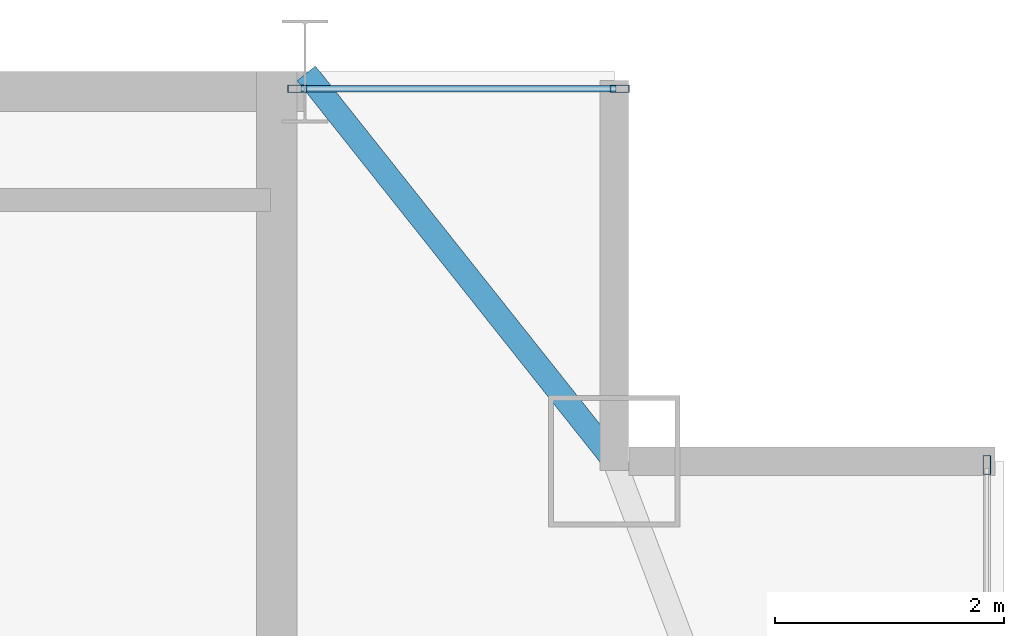
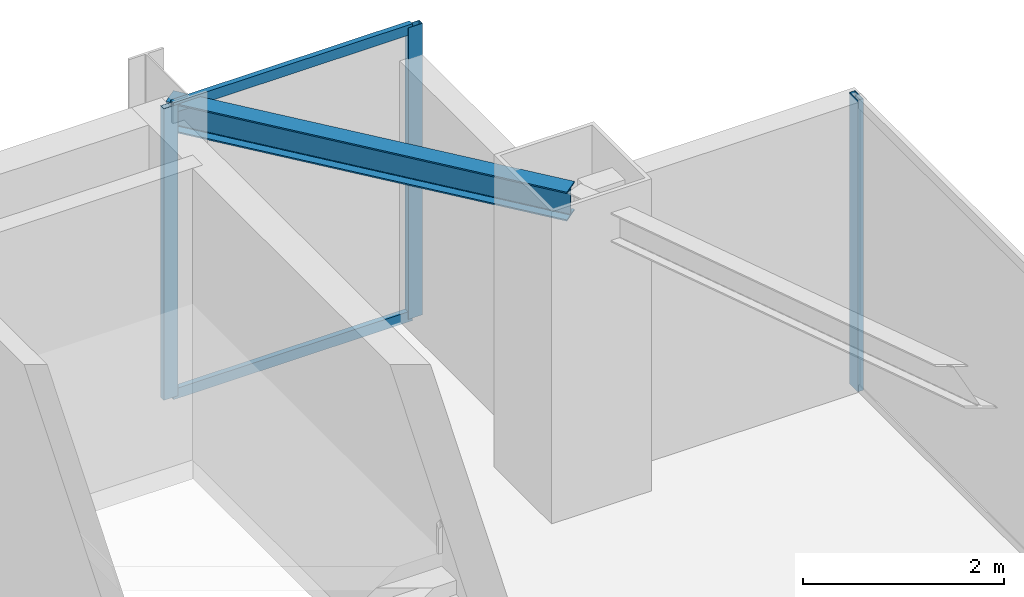
# One storey, part 22 of 30: 5 members, 1 beam, 2 elements without a shape of their own.
"""IFC4 building model written with IfcOpenShell, lengths in metres."""

import ifcopenshell
import ifcopenshell.guid

model = None  # the IFC model being written
_history = None  # IfcOwnerHistory: only IFC2X3 demands one
_inside = {}  # id of a spatial element -> (the spatial element, [elements in it])
_under = {}  # id of a project, library or spatial element -> (it, [spatial elements below it])
_declared = {}  # id of a project -> (the project, [libraries it declares])
_typed = {}  # id of a type object -> (the type object, [elements of that type])
_made_of = {}  # id of a material, layer set ... -> (it, [elements and type objects made of it])


def new_model(schema):
    """Start an empty IFC model of exactly this schema.

    Asked for "IFC4X3", IfcOpenShell would pick the latest addendum, in which some entities
    have other attributes; the version numbers below select the first issue.
    IFC2X3 requires an IfcOwnerHistory on every rooted entity: one is made here for all.
    """
    global model, _history
    if schema == "IFC4X3":
        model = ifcopenshell.file(schema_version=(4, 3, 0, 0))
    else:
        model = ifcopenshell.file(schema=schema)
    _inside.clear()
    _under.clear()
    _declared.clear()
    _typed.clear()
    _made_of.clear()
    _history = None
    if model.schema == "IFC2X3":
        org = make("IfcOrganization", Name="unknown")
        user = make(
            "IfcPersonAndOrganization",
            ThePerson=make("IfcPerson", FamilyName="unknown"),
            TheOrganization=org,
        )
        app = make(
            "IfcApplication",
            ApplicationDeveloper=org,
            Version="unknown",
            ApplicationFullName="unknown",
            ApplicationIdentifier="unknown",
        )
        _history = make(
            "IfcOwnerHistory",
            OwningUser=user,
            OwningApplication=app,
            ChangeAction="ADDED",
            CreationDate=0,
        )
    return model


def make(cls, **values):
    """One entity of the class cls with the attributes given. An attribute that is None is left unset."""
    return model.create_entity(
        cls, **{name: value for name, value in values.items() if value is not None}
    )


def rooted(cls, **values):
    """An entity with a GlobalId (a new one), such as an element, a storey or a relation."""
    return make(cls, GlobalId=ifcopenshell.guid.new(), OwnerHistory=_history, **values)


def si_unit(unit_type, name, prefix=None):
    """IfcSIUnit, for example si_unit("LENGTHUNIT", "METRE", prefix="MILLI")."""
    return make("IfcSIUnit", UnitType=unit_type, Prefix=prefix, Name=name)


def assignment(units):
    """IfcUnitAssignment: the units of a project."""
    return None if units is None else make("IfcUnitAssignment", Units=units)


def point(xyz):
    """IfcCartesianPoint."""
    return None if xyz is None else make("IfcCartesianPoint", Coordinates=xyz)


def direction(xyz):
    """IfcDirection."""
    return None if xyz is None else make("IfcDirection", DirectionRatios=xyz)


def frame(location, z_axis=None, x_axis=None):
    """IfcAxis2Placement3D, a coordinate frame: its origin and axes. An axis left out is left unset."""
    return make(
        "IfcAxis2Placement3D",
        Location=point(location),
        Axis=direction(z_axis),
        RefDirection=direction(x_axis),
    )


def frame_2d(location, x_axis=None):
    """IfcAxis2Placement2D, a coordinate frame in the plane: its origin and x axis."""
    return make(
        "IfcAxis2Placement2D", Location=point(location), RefDirection=direction(x_axis)
    )


def origin():
    """The frame at (0, 0, 0) with its axes left unset."""
    return frame((0.0, 0.0, 0.0))


def origin_2d():
    """The frame at (0, 0) in the plane with its x axis left unset."""
    return frame_2d((0.0, 0.0))


def place(relative_to, where):
    """IfcLocalPlacement: puts the frame where relative to a parent placement (None: the world)."""
    return make(
        "IfcLocalPlacement", PlacementRelTo=relative_to, RelativePlacement=where
    )


def context(
    kind, dimensions, precision=None, world=None, true_north=None, identifier=None
):
    """IfcGeometricRepresentationContext, for example the 3D "Model" context."""
    return make(
        "IfcGeometricRepresentationContext",
        ContextIdentifier=identifier,
        ContextType=kind,
        CoordinateSpaceDimension=dimensions,
        Precision=precision,
        WorldCoordinateSystem=world,
        TrueNorth=true_north,
    )


def subcontext(parent, identifier, kind, view, scale=None):
    """IfcGeometricRepresentationSubContext, for example "Body" below "Model"."""
    return make(
        "IfcGeometricRepresentationSubContext",
        ContextIdentifier=identifier,
        ContextType=kind,
        ParentContext=parent,
        TargetScale=scale,
        TargetView=view,
    )


def project(units=None, contexts=None):
    """IfcProject with its units and contexts."""
    return rooted(
        "IfcProject",
        Name="project",
        RepresentationContexts=contexts,
        UnitsInContext=assignment(units),
    )


def spatial(cls, under=None, at=None, **own):
    """A site, building, storey or space (cls), placed at a placement, below another one or the project."""
    s = rooted(cls, ObjectPlacement=at, **own)
    if under is not None:
        _under.setdefault(under.id(), (under, []))[1].append(s)
    return s


def profile(cls, at=None, kind="AREA", **sizes):
    """A parametric profile (cls). Its sizes go by their IFC names, for example OverallWidth=200.0."""
    return make(cls, ProfileType=kind, Position=at, **sizes)


def hollow_rectangle(**sizes):
    """IfcRectangleHollowProfileDef."""
    return profile("IfcRectangleHollowProfileDef", **sizes)


def i_section(**sizes):
    """IfcIShapeProfileDef."""
    return profile("IfcIShapeProfileDef", **sizes)


def extrude(swept, where, along, depth):
    """IfcExtrudedAreaSolid: the profile swept, set in the frame where, extruded along a direction by depth."""
    return make(
        "IfcExtrudedAreaSolid",
        SweptArea=swept,
        Position=where,
        ExtrudedDirection=direction(along),
        Depth=depth,
    )


def shape(context_of_items, identifier, shape_type, items):
    """IfcShapeRepresentation: the items that make up one representation, for example the "Body"."""
    return make(
        "IfcShapeRepresentation",
        ContextOfItems=context_of_items,
        RepresentationIdentifier=identifier,
        RepresentationType=shape_type,
        Items=items,
    )


def source(mapping_origin, context_of_items, identifier, shape_type, items):
    """IfcRepresentationMap: a shape defined once, which mapped items show again and again."""
    return make(
        "IfcRepresentationMap",
        MappingOrigin=mapping_origin,
        MappedRepresentation=shape(context_of_items, identifier, shape_type, items),
    )


def transform(
    local_origin,
    x_axis=None,
    y_axis=None,
    z_axis=None,
    scale=None,
    scale2=None,
    scale3=None,
    uniform=True,
):
    """IfcCartesianTransformationOperator3D, or its non-uniform kind. x_axis, y_axis, z_axis: its Axis1, 2, 3."""
    if uniform:
        return make(
            "IfcCartesianTransformationOperator3D",
            Axis1=direction(x_axis),
            Axis2=direction(y_axis),
            LocalOrigin=point(local_origin),
            Scale=scale,
            Axis3=direction(z_axis),
        )
    return make(
        "IfcCartesianTransformationOperator3DnonUniform",
        Axis1=direction(x_axis),
        Axis2=direction(y_axis),
        LocalOrigin=point(local_origin),
        Scale=scale,
        Axis3=direction(z_axis),
        Scale2=scale2,
        Scale3=scale3,
    )


def mapped(mapping_source, mapping_target):
    """IfcMappedItem: shows the shape of a source again, moved by a transform."""
    return make(
        "IfcMappedItem", MappingSource=mapping_source, MappingTarget=mapping_target
    )


def material(Name=None, Category=None):
    """IfcMaterial."""
    return make("IfcMaterial", Name=Name, Category=Category)


def layer(
    of_material, thickness, ventilated=None, Name=None, Category=None, Priority=None
):
    """IfcMaterialLayer: one layer of a wall or slab, of a material (None: an air gap)."""
    return make(
        "IfcMaterialLayer",
        Material=of_material,
        LayerThickness=thickness,
        IsVentilated=ventilated,
        Name=Name,
        Category=Category,
        Priority=Priority,
    )


def layer_set(layers, Name=None):
    """IfcMaterialLayerSet."""
    return make("IfcMaterialLayerSet", MaterialLayers=layers, LayerSetName=Name)


def material_profile(
    of_material, cross_section, Name=None, Category=None, Priority=None
):
    """IfcMaterialProfile: a cross section and its material."""
    return make(
        "IfcMaterialProfile",
        Name=Name,
        Material=of_material,
        Profile=cross_section,
        Priority=Priority,
        Category=Category,
    )


def profile_set(profiles, Name=None, composite=None):
    """IfcMaterialProfileSet."""
    return make(
        "IfcMaterialProfileSet",
        Name=Name,
        MaterialProfiles=profiles,
        CompositeProfile=composite,
    )


def made_of(thing, what):
    """Note that an element or type object is made of a material, layer set ...; save() writes the relation."""
    if what is not None:
        _made_of.setdefault(what.id(), (what, []))[1].append(thing)
    return thing


def type_object(cls, material=None, **own):
    """A type object (cls), such as IfcWallType, which elements share."""
    return made_of(rooted(cls, **own), material)


def type_shapes(of_type, sources):
    """Give a type object the sources (RepresentationMaps) that its elements show as mapped items."""
    of_type.RepresentationMaps = sources


def element(
    cls,
    number,
    at=None,
    inside=None,
    cuts=None,
    type_object=None,
    material=None,
    context=None,
    identifier="Body",
    shape_type=None,
    held_by="IfcProductDefinitionShape",
    body=None,
    shapes=None,
    **own,
):
    """One element of the class cls, such as IfcWall. Its Tag is "e" and its number.

    at: its placement. inside: the storey or other place that contains it. cuts: it is an
    opening in that element (IfcRelVoidsElement). A single representation is given by context,
    identifier, shape_type and body (its items); several are given by shapes. held_by: the class
    of the entity that holds the representations. save() writes the other relations.
    """
    e = rooted(cls, Tag="e%d" % number, ObjectPlacement=at, **own)
    if body is not None:
        shapes = [shape(context, identifier, shape_type, body)]
    if shapes is not None:
        e.Representation = make(held_by, Representations=shapes)
    if inside is not None:
        _inside.setdefault(inside.id(), (inside, []))[1].append(e)
    if cuts is not None:
        rooted(
            "IfcRelVoidsElement", RelatingBuildingElement=cuts, RelatedOpeningElement=e
        )
    if type_object is not None:
        _typed.setdefault(type_object.id(), (type_object, []))[1].append(e)
    return made_of(e, material)


def aggregate(whole, parts):
    """IfcRelAggregates: a whole, such as a stair, and the parts it consists of."""
    return rooted("IfcRelAggregates", RelatingObject=whole, RelatedObjects=parts)


def save(model, path):
    """Write the relations noted so far, then the file.

    IfcRelAggregates (storeys below a building ...), IfcRelContainedInSpatialStructure (elements
    in a storey), IfcRelDefinesByType, IfcRelAssociatesMaterial and IfcRelDeclares: one each for
    every whole, place, type object, material and project.
    """
    for whole, parts in _under.values():
        aggregate(whole, parts)
    for where, things in _inside.values():
        rooted(
            "IfcRelContainedInSpatialStructure",
            RelatedElements=things,
            RelatingStructure=where,
        )
    for kind, things in _typed.values():
        rooted("IfcRelDefinesByType", RelatedObjects=things, RelatingType=kind)
    for what, things in _made_of.values():
        rooted("IfcRelAssociatesMaterial", RelatedObjects=things, RelatingMaterial=what)
    for by, libraries in _declared.values():
        rooted("IfcRelDeclares", RelatingContext=by, RelatedDefinitions=libraries)
    model.write(path)


model = new_model("IFC4")

# Units and contexts
model_context = context("Model", 3, precision=1e-05, world=origin(), true_north=direction((0.0, 1.0)))
body_context = subcontext(model_context, "Body", "Model", "MODEL_VIEW")
ifc_project = project(units=[si_unit("LENGTHUNIT", "METRE"), si_unit("AREAUNIT", "SQUARE_METRE"), si_unit("VOLUMEUNIT", "CUBIC_METRE"), si_unit("PLANEANGLEUNIT", "RADIAN"), si_unit("MASSUNIT", "GRAM", prefix="KILO")], contexts=[model_context])

# Site, building, storey
site_placement = place(None, origin())
site = spatial("IfcSite", under=ifc_project, at=site_placement, CompositionType="ELEMENT")
building_placement = place(site_placement, origin())
building = spatial("IfcBuilding", under=site, at=building_placement, Name="Varnel Quay Broadcast Tower", CompositionType="ELEMENT")
storey_placement = place(building_placement, frame((0.0, 0.0, 222.60009765625)))
storey = spatial("IfcBuildingStorey", under=building, at=storey_placement, Name="L55", CompositionType="ELEMENT", Elevation=222.60009765625)

# Beam
ifc_material_1 = material(Name="Structural Steel CSA G40.21 350W", Category="steel")
ifc_material_profile_1 = material_profile(ifc_material_1, i_section(OverallWidth=0.205078125, OverallDepth=0.35400390625, WebThickness=0.009521484375, FlangeThickness=0.016845703125, FilletRadius=0.012939453125, at=origin_2d()), Name="W360X79")
ifc_profile_set_1 = profile_set([ifc_material_profile_1], Name="Structural Steel CSA G40.21 350W")
beam_type = type_object("IfcBeamType", Name="Beam_W360X79", PredefinedType="SPANDREL", material=ifc_profile_set_1)
shared_shape_1 = source(origin(), body_context, "Body", "SweptSolid", [
    extrude(i_section(OverallWidth=0.205078125, OverallDepth=0.35400390625, WebThickness=0.009521484375, FlangeThickness=0.016845703125, FilletRadius=0.012939453125, at=origin_2d()), origin(), (0.0, 0.0, 1.0), 4.301513671875),
])
type_shapes(beam_type, [shared_shape_1])
beam_placement = place(storey_placement, frame((52.412353515625, 46.7841796875, 3.372802734375), z_axis=(0.621936399401, -0.783067758946, 0.0), x_axis=(0.783067758946, 0.621936399401, 0.0)))
element("IfcBeam", 1, at=beam_placement, inside=storey, type_object=beam_type, Name="L55 NE Tie Spandrel", PredefinedType="SPANDREL", context=body_context, shape_type="MappedRepresentation", body=[
    mapped(shared_shape_1, transform((0.0, 0.0, 0.0), x_axis=(1.0, 0.0, 0.0), y_axis=(0.0, 1.0, 0.0), z_axis=(0.0, 0.0, 1.0), scale=1.0)),
])

# Curtain wall, member
ifc_material_2 = material(Name="Anodised Bronze Aluminium 6063-T6", Category="aluminium")
ifc_layer = layer(ifc_material_2, 0.18994140625, Name="Anodised Bronze Aluminium 6063-T6")
ifc_layer_set = layer_set([ifc_layer], Name="Anodised Bronze Aluminium 6063-T6")
curtain_wall_type = type_object("IfcCurtainWallType", Name="CW_UpperTower", PredefinedType="NOTDEFINED", material=ifc_layer_set)
curtain_wall_1_placement = place(storey_placement, origin())
curtain_wall_1 = element("IfcCurtainWall", 2, at=curtain_wall_1_placement, inside=storey, type_object=curtain_wall_type, Name="L55 East Unitised Curtain Wall", PredefinedType="NOTDEFINED")
ifc_material_profile_2 = material_profile(ifc_material_2, hollow_rectangle(XDim=0.06494140625, YDim=0.1650390625, WallThickness=0.00341796875, at=origin_2d()), Name="ALU65X165X3.5")
ifc_profile_set_2 = profile_set([ifc_material_profile_2], Name="Anodised Bronze Aluminium 6063-T6")
member_type_1 = type_object("IfcMemberType", Name="Mull_CWS-03", PredefinedType="MULLION", material=ifc_profile_set_2)
shared_shape_2 = source(origin(), body_context, "Body", "SweptSolid", [
    extrude(hollow_rectangle(XDim=0.06494140625, YDim=0.1650390625, WallThickness=0.00341796875, at=origin_2d()), origin(), (0.0, 0.0, 1.0), 3.5498046875),
])
type_shapes(member_type_1, [shared_shape_2])
member_1_placement = place(storey_placement, frame((58.35009765625, 43.367431640625, 0.0), z_axis=(0.0, 0.0, 1.0), x_axis=(-1.0, 0.0, 0.0)))
member_1 = element("IfcMember", 3, at=member_1_placement, type_object=member_type_1, Name="CWS-03 mullion 3", PredefinedType="MULLION", context=body_context, shape_type="MappedRepresentation", body=[
    mapped(shared_shape_2, transform((0.0, 0.0, 0.0), x_axis=(1.0, 0.0, 0.0), y_axis=(0.0, 1.0, 0.0), z_axis=(0.0, 0.0, 1.0), scale=1.0)),
])
aggregate(curtain_wall_1, [member_1])

# Curtain wall, members
curtain_wall_2_placement = place(storey_placement, origin())
curtain_wall_2 = element("IfcCurtainWall", 4, at=curtain_wall_2_placement, inside=storey, type_object=curtain_wall_type, Name="L55 NE Wing Curtain Wall", PredefinedType="NOTDEFINED")
member_2_placement = place(storey_placement, frame((52.33251953125, 46.64990234375, 0.0), z_axis=(0.0, 0.0, 1.0), x_axis=(0.0, 1.0, 0.0)))
member_2 = element("IfcMember", 5, at=member_2_placement, type_object=member_type_1, Name="CWS-03 mullion 1", PredefinedType="MULLION", context=body_context, shape_type="MappedRepresentation", body=[
    mapped(shared_shape_2, transform((0.0, 0.0, 0.0), x_axis=(1.0, 0.0, 0.0), y_axis=(0.0, 1.0, 0.0), z_axis=(0.0, 0.0, 1.0), scale=1.0)),
])
member_3_placement = place(storey_placement, frame((55.1474609375, 46.64990234375, 0.0), z_axis=(0.0, 0.0, 1.0), x_axis=(0.0, 1.0, 0.0)))
member_3 = element("IfcMember", 6, at=member_3_placement, type_object=member_type_1, Name="CWS-03 mullion 2", PredefinedType="MULLION", context=body_context, shape_type="MappedRepresentation", body=[
    mapped(shared_shape_2, transform((0.0, 0.0, 0.0), x_axis=(1.0, 0.0, 0.0), y_axis=(0.0, 1.0, 0.0), z_axis=(0.0, 0.0, 1.0), scale=1.0)),
])
ifc_material_profile_3 = material_profile(ifc_material_2, hollow_rectangle(XDim=0.06005859375, YDim=0.125, WallThickness=0.0029296875, at=origin_2d()), Name="ALU60X125X3")
ifc_profile_set_3 = profile_set([ifc_material_profile_3], Name="Anodised Bronze Aluminium 6063-T6")
member_type_2 = type_object("IfcMemberType", Name="Tran_CWS-03", PredefinedType="USERDEFINED", material=ifc_profile_set_3)
shared_shape_3 = source(origin(), body_context, "Body", "SweptSolid", [
    extrude(hollow_rectangle(XDim=0.06005859375, YDim=0.125, WallThickness=0.0029296875, at=origin_2d()), origin(), (0.0, 0.0, 1.0), 2.75),
])
type_shapes(member_type_2, [shared_shape_3])
member_4_placement = place(storey_placement, frame((52.364990234375, 46.64990234375, 0.02978515625), z_axis=(1.0, 0.0, 0.0), x_axis=(0.0, 1.0, 0.0)))
member_4 = element("IfcMember", 7, at=member_4_placement, type_object=member_type_2, Name="CWS-03 transom 1.1", ObjectType="TRANSOM", PredefinedType="USERDEFINED", context=body_context, shape_type="MappedRepresentation", body=[
    mapped(shared_shape_3, transform((0.0, 0.0, 0.0), x_axis=(1.0, 0.0, 0.0), y_axis=(0.0, 1.0, 0.0), z_axis=(0.0, 0.0, 1.0), scale=1.0)),
])
member_5_placement = place(storey_placement, frame((52.364990234375, 46.64990234375, 3.52001953125), z_axis=(1.0, 0.0, 0.0), x_axis=(0.0, 1.0, 0.0)))
member_5 = element("IfcMember", 8, at=member_5_placement, type_object=member_type_2, Name="CWS-03 transom 1.2", ObjectType="TRANSOM", PredefinedType="USERDEFINED", context=body_context, shape_type="MappedRepresentation", body=[
    mapped(shared_shape_3, transform((0.0, 0.0, 0.0), x_axis=(1.0, 0.0, 0.0), y_axis=(0.0, 1.0, 0.0), z_axis=(0.0, 0.0, 1.0), scale=1.0)),
])
aggregate(curtain_wall_2, [member_2, member_3, member_4, member_5])

save(model, "model.ifc")
